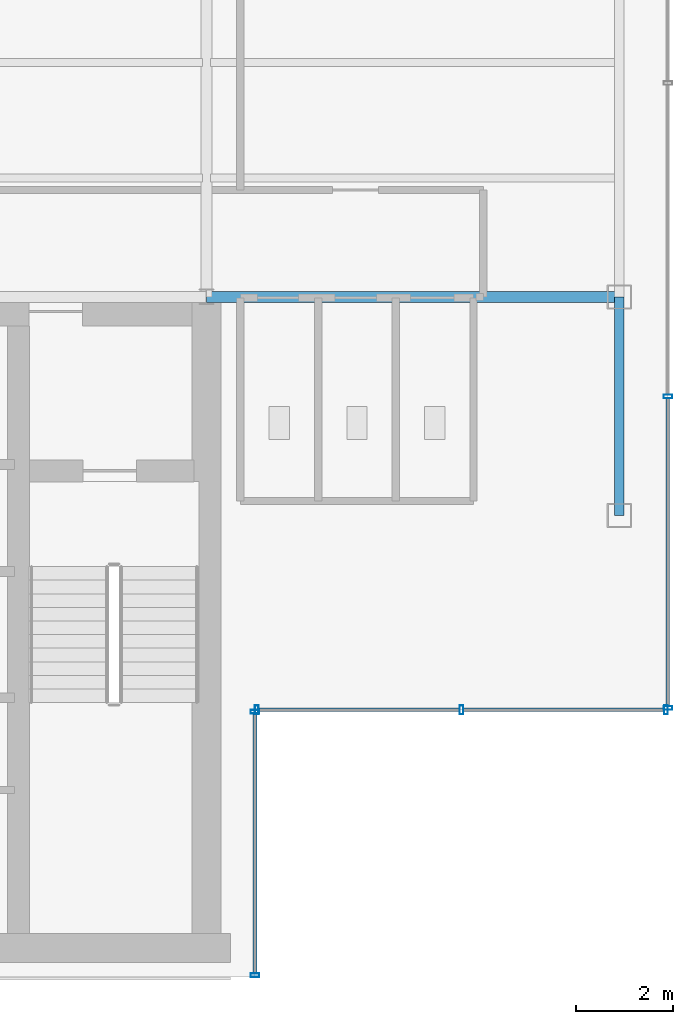
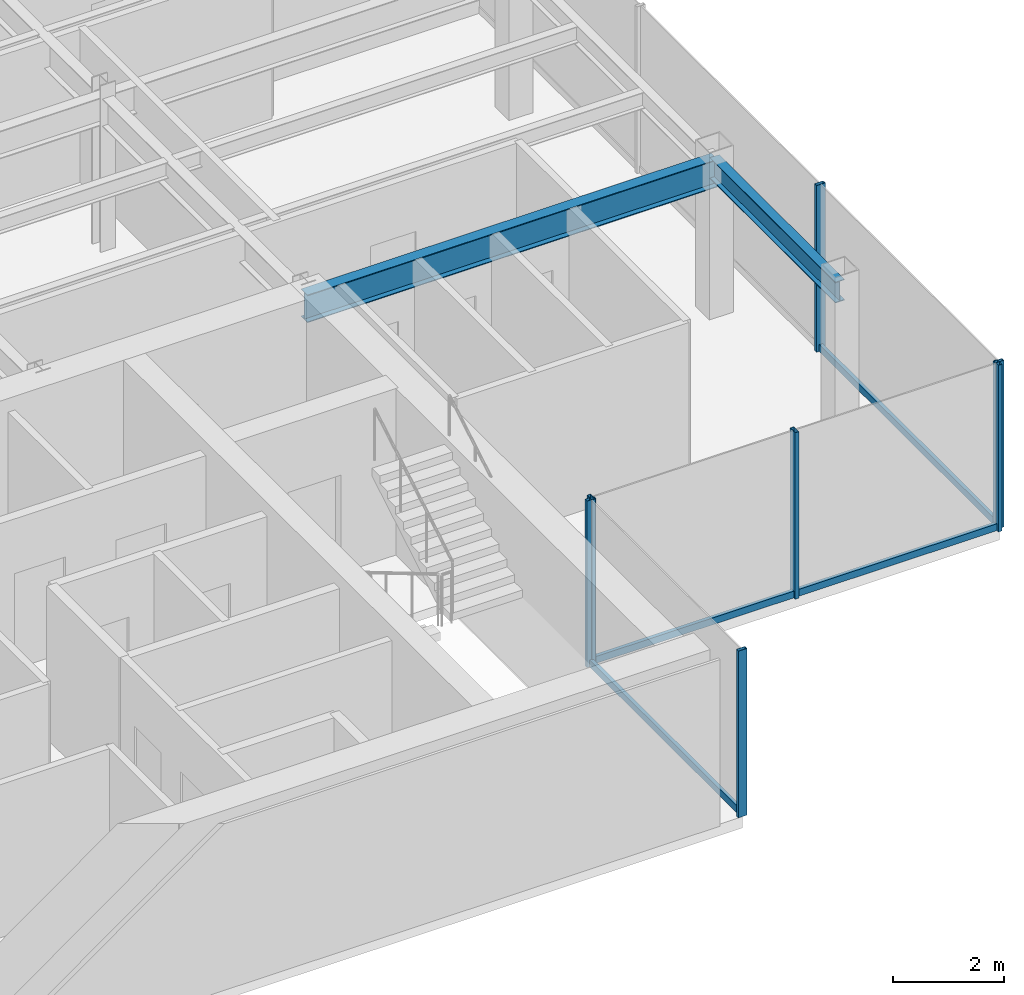
# One storey, part 9 of 22: 11 members, 2 beams, 3 elements without a shape of their own.
"""IFC4 building model written with IfcOpenShell, lengths in metres."""

from ifc_helpers import new_model, si_unit, derived_unit, direction, frame, origin, origin_2d, place, context, subcontext, project, spatial, hollow_rectangle, i_section, extrude, source, transform, mapped, material, material_profile, profile_set, type_object, element, aggregate, save


model = new_model("IFC4")

# Units and contexts
model_context = context("Model", 3, precision=1e-05, world=origin(), true_north=direction((0.0, 1.0)))
body_context = subcontext(model_context, "Body", "Model", "MODEL_VIEW")
ifc_project = project(units=[si_unit("LENGTHUNIT", "METRE"), si_unit("AREAUNIT", "SQUARE_METRE"), si_unit("VOLUMEUNIT", "CUBIC_METRE"), si_unit("PLANEANGLEUNIT", "RADIAN"), si_unit("MASSUNIT", "GRAM", prefix="KILO"), derived_unit("THERMALTRANSMITTANCEUNIT", [(si_unit("POWERUNIT", "WATT"), 1), (si_unit("LENGTHUNIT", "METRE"), -2), (si_unit("THERMODYNAMICTEMPERATUREUNIT", "KELVIN"), -1)])], contexts=[model_context])

# Site, building, storey
site_placement = place(None, origin())
site = spatial("IfcSite", under=ifc_project, at=site_placement, CompositionType="ELEMENT")
building_placement = place(site_placement, origin())
building = spatial("IfcBuilding", under=site, at=building_placement, Name="Skarnbrae Concourse Arena and Tower", CompositionType="ELEMENT")
storey_placement = place(building_placement, frame((0.0, 0.0, 232.39990234375)))
storey = spatial("IfcBuildingStorey", under=building, at=storey_placement, Name="L60", CompositionType="ELEMENT", Elevation=232.39990234375)

# Beams
ifc_material_1 = material(Name="Steel CSA G40.21 350W", Category="steel")
ifc_material_profile_1 = material_profile(ifc_material_1, i_section(OverallWidth=0.22802734375, OverallDepth=0.60791015625, WebThickness=0.01123046875, FlangeThickness=0.017333984375, at=origin_2d()), Name="W610X113")
ifc_profile_set_1 = profile_set([ifc_material_profile_1], Name="Steel CSA G40.21 350W")
beam_type_1 = type_object("IfcBeamType", Name="BM-GIRD-W610X113", PredefinedType="BEAM", material=ifc_profile_set_1)
shared_shape_1 = source(origin(), body_context, "Body", "SweptSolid", [
    extrude(i_section(OverallWidth=0.22802734375, OverallDepth=0.60791015625, WebThickness=0.01123046875, FlangeThickness=0.017333984375, at=origin_2d()), origin(), (0.0, 0.0, 1.0), 8.5),
])
beam_1_placement = place(storey_placement, frame((33.5, 14.0, 3.046142578125), z_axis=(1.0, 0.0, 0.0), x_axis=(0.0, 1.0, 0.0)))
element("IfcBeam", 1, at=beam_1_placement, inside=storey, type_object=beam_type_1, Name="L60 Primary E-W girder Y14.0-6", PredefinedType="BEAM", context=body_context, shape_type="MappedRepresentation", body=[
    mapped(shared_shape_1, transform((0.0, 0.0, 0.0))),
])
ifc_material_profile_2 = material_profile(ifc_material_1, i_section(OverallWidth=0.19091796875, OverallDepth=0.4599609375, WebThickness=0.010009765625, FlangeThickness=0.01611328125, at=origin_2d()), Name="W460X82")
ifc_profile_set_2 = profile_set([ifc_material_profile_2], Name="Steel CSA G40.21 350W")
beam_type_2 = type_object("IfcBeamType", Name="BM-SPAN-W460X82", PredefinedType="SPANDREL", material=ifc_profile_set_2)
shared_shape_2 = source(origin(), body_context, "Body", "SweptSolid", [
    extrude(i_section(OverallWidth=0.19091796875, OverallDepth=0.4599609375, WebThickness=0.010009765625, FlangeThickness=0.01611328125, at=origin_2d()), origin(), (0.0, 0.0, 1.0), 4.5),
])
beam_2_placement = place(storey_placement, frame((42.0, 9.5, 3.1201171875), z_axis=(0.0, 1.0, 0.0), x_axis=(-1.0, 0.0, 0.0)))
element("IfcBeam", 2, at=beam_2_placement, inside=storey, type_object=beam_type_2, Name="L60 Perimeter spandrel X42.0-1", PredefinedType="SPANDREL", context=body_context, shape_type="MappedRepresentation", body=[
    mapped(shared_shape_2, transform((0.0, 0.0, 0.0))),
])

# Curtain wall, member
ifc_material_2 = material(Name="Bronze anodised aluminium 6063-T6", Category="aluminium")
curtain_wall_type = type_object("IfcCurtainWallType", Name="CW-SYS-05-HIGHZONE", PredefinedType="USERDEFINED", material=ifc_material_2)
curtain_wall_1_placement = place(storey_placement, origin())
curtain_wall_1 = element("IfcCurtainWall", 3, at=curtain_wall_1_placement, inside=storey, type_object=curtain_wall_type, Name="L60 Unitised curtain wall CW-L60-E02", ObjectType="UNITISED CURTAIN WALL", PredefinedType="USERDEFINED")
ifc_material_profile_3 = material_profile(ifc_material_2, hollow_rectangle(XDim=0.074951171875, YDim=0.14990234375, WallThickness=0.00390625, at=origin_2d()), Name="ALU-TRAN-75X150")
ifc_profile_set_3 = profile_set([ifc_material_profile_3], Name="Bronze anodised aluminium 6063-T6")
member_type_1 = type_object("IfcMemberType", Name="CWT-CW-05", PredefinedType="USERDEFINED", material=ifc_profile_set_3)
shared_shape_3 = source(origin(), body_context, "Body", "SweptSolid", [
    extrude(hollow_rectangle(XDim=0.074951171875, YDim=0.14990234375, WallThickness=0.00390625, at=origin_2d()), origin(), (0.0, 0.0, 1.0), 5.35009765625),
])
member_1_placement = place(storey_placement, frame((34.5, 0.074951171875, 0.0751953125), z_axis=(0.0, 1.0, 0.0), x_axis=(-1.0, 0.0, 0.0)))
member_1 = element("IfcMember", 4, at=member_1_placement, type_object=member_type_1, Name="CW-L60-E02 Transom 1", ObjectType="TRANSOM", PredefinedType="USERDEFINED", context=body_context, shape_type="MappedRepresentation", body=[
    mapped(shared_shape_3, transform((0.0, 0.0, 0.0))),
])

# Curtain wall, members
curtain_wall_2_placement = place(storey_placement, origin())
curtain_wall_2 = element("IfcCurtainWall", 5, at=curtain_wall_2_placement, inside=storey, type_object=curtain_wall_type, Name="L60 Unitised curtain wall CW-L60-E03", ObjectType="UNITISED CURTAIN WALL", PredefinedType="USERDEFINED")
shared_shape_4 = source(origin(), body_context, "Body", "SweptSolid", [
    extrude(hollow_rectangle(XDim=0.074951171875, YDim=0.14990234375, WallThickness=0.00390625, at=origin_2d()), origin(), (0.0, 0.0, 1.0), 4.137451171875),
])
member_2_placement = place(storey_placement, frame((34.574951171875, 5.5, 0.0751953125), z_axis=(1.0, 0.0, 0.0), x_axis=(0.0, 1.0, 0.0)))
member_2 = element("IfcMember", 6, at=member_2_placement, type_object=member_type_1, Name="CW-L60-E03 Transom 1", ObjectType="TRANSOM", PredefinedType="USERDEFINED", context=body_context, shape_type="MappedRepresentation", body=[
    mapped(shared_shape_4, transform((0.0, 0.0, 0.0))),
])
member_3_placement = place(storey_placement, frame((38.78759765625, 5.5, 0.0751953125), z_axis=(1.0, 0.0, 0.0), x_axis=(0.0, 1.0, 0.0)))
member_3 = element("IfcMember", 7, at=member_3_placement, type_object=member_type_1, Name="CW-L60-E03 Transom 2", ObjectType="TRANSOM", PredefinedType="USERDEFINED", context=body_context, shape_type="MappedRepresentation", body=[
    mapped(shared_shape_4, transform((0.0, 0.0, 0.0))),
])

# Curtain wall, member
curtain_wall_3_placement = place(storey_placement, origin())
curtain_wall_3 = element("IfcCurtainWall", 8, at=curtain_wall_3_placement, inside=storey, type_object=curtain_wall_type, Name="L60 Unitised curtain wall CW-L60-E04", ObjectType="UNITISED CURTAIN WALL", PredefinedType="USERDEFINED")
shared_shape_5 = source(origin(), body_context, "Body", "SweptSolid", [
    extrude(hollow_rectangle(XDim=0.074951171875, YDim=0.14990234375, WallThickness=0.00390625, at=origin_2d()), origin(), (0.0, 0.0, 1.0), 6.337646484375),
])
member_4_placement = place(storey_placement, frame((43.0, 5.574951171875, 0.0751953125), z_axis=(0.0, 1.0, 0.0), x_axis=(-1.0, 0.0, 0.0)))
member_4 = element("IfcMember", 9, at=member_4_placement, type_object=member_type_1, Name="CW-L60-E04 Transom 1", ObjectType="TRANSOM", PredefinedType="USERDEFINED", context=body_context, shape_type="MappedRepresentation", body=[
    mapped(shared_shape_5, transform((0.0, 0.0, 0.0))),
])

# Member
ifc_material_profile_4 = material_profile(ifc_material_2, hollow_rectangle(XDim=0.074951171875, YDim=0.179931640625, WallThickness=0.00390625, at=origin_2d()), Name="ALU-MULL-75X180")
ifc_profile_set_4 = profile_set([ifc_material_profile_4], Name="Bronze anodised aluminium 6063-T6")
member_type_2 = type_object("IfcMemberType", Name="CWM-CW-05", PredefinedType="MULLION", material=ifc_profile_set_4)
shared_shape_6 = source(origin(), body_context, "Body", "SweptSolid", [
    extrude(hollow_rectangle(XDim=0.074951171875, YDim=0.179931640625, WallThickness=0.00390625, at=origin_2d()), origin(), (0.0, 0.0, 1.0), 3.650146484375),
])
member_5_placement = place(storey_placement, frame((34.5, 0.03759765625, 0.0), z_axis=(0.0, 0.0, 1.0), x_axis=(0.0, 1.0, 0.0)))
member_5 = element("IfcMember", 10, at=member_5_placement, type_object=member_type_2, Name="CW-L60-E02 Mullion 1", PredefinedType="MULLION", context=body_context, shape_type="MappedRepresentation", body=[
    mapped(shared_shape_6, transform((0.0, 0.0, 0.0))),
])

member_6_placement = place(storey_placement, frame((34.5, 5.46240234375, 0.0), z_axis=(0.0, 0.0, 1.0), x_axis=(0.0, 1.0, 0.0)))
member_6 = element("IfcMember", 11, at=member_6_placement, type_object=member_type_2, Name="CW-L60-E02 Mullion 2", PredefinedType="MULLION", context=body_context, shape_type="MappedRepresentation", body=[
    mapped(shared_shape_6, transform((0.0, 0.0, 0.0))),
])

aggregate(curtain_wall_1, [member_5, member_6, member_1])

member_7_placement = place(storey_placement, frame((34.53759765625, 5.5, 0.0), z_axis=(0.0, 0.0, 1.0), x_axis=(1.0, 0.0, 0.0)))
member_7 = element("IfcMember", 12, at=member_7_placement, type_object=member_type_2, Name="CW-L60-E03 Mullion 1", PredefinedType="MULLION", context=body_context, shape_type="MappedRepresentation", body=[
    mapped(shared_shape_6, transform((0.0, 0.0, 0.0))),
])

member_8_placement = place(storey_placement, frame((38.75, 5.5, 0.0), z_axis=(0.0, 0.0, 1.0), x_axis=(1.0, 0.0, 0.0)))
member_8 = element("IfcMember", 13, at=member_8_placement, type_object=member_type_2, Name="CW-L60-E03 Mullion 2", PredefinedType="MULLION", context=body_context, shape_type="MappedRepresentation", body=[
    mapped(shared_shape_6, transform((0.0, 0.0, 0.0))),
])

member_9_placement = place(storey_placement, frame((42.96240234375, 5.5, 0.0), z_axis=(0.0, 0.0, 1.0), x_axis=(1.0, 0.0, 0.0)))
member_9 = element("IfcMember", 14, at=member_9_placement, type_object=member_type_2, Name="CW-L60-E03 Mullion 3", PredefinedType="MULLION", context=body_context, shape_type="MappedRepresentation", body=[
    mapped(shared_shape_6, transform((0.0, 0.0, 0.0))),
])

aggregate(curtain_wall_2, [member_7, member_8, member_9, member_2, member_3])

member_10_placement = place(storey_placement, frame((43.0, 5.53759765625, 0.0), z_axis=(0.0, 0.0, 1.0), x_axis=(0.0, 1.0, 0.0)))
member_10 = element("IfcMember", 15, at=member_10_placement, type_object=member_type_2, Name="CW-L60-E04 Mullion 1", PredefinedType="MULLION", context=body_context, shape_type="MappedRepresentation", body=[
    mapped(shared_shape_6, transform((0.0, 0.0, 0.0))),
])

member_11_placement = place(storey_placement, frame((43.0, 11.949951171875, 0.0), z_axis=(0.0, 0.0, 1.0), x_axis=(0.0, 1.0, 0.0)))
member_11 = element("IfcMember", 16, at=member_11_placement, type_object=member_type_2, Name="CW-L60-E04 Mullion 2", PredefinedType="MULLION", context=body_context, shape_type="MappedRepresentation", body=[
    mapped(shared_shape_6, transform((0.0, 0.0, 0.0))),
])

aggregate(curtain_wall_3, [member_10, member_11, member_4])

save(model, "model.ifc")
